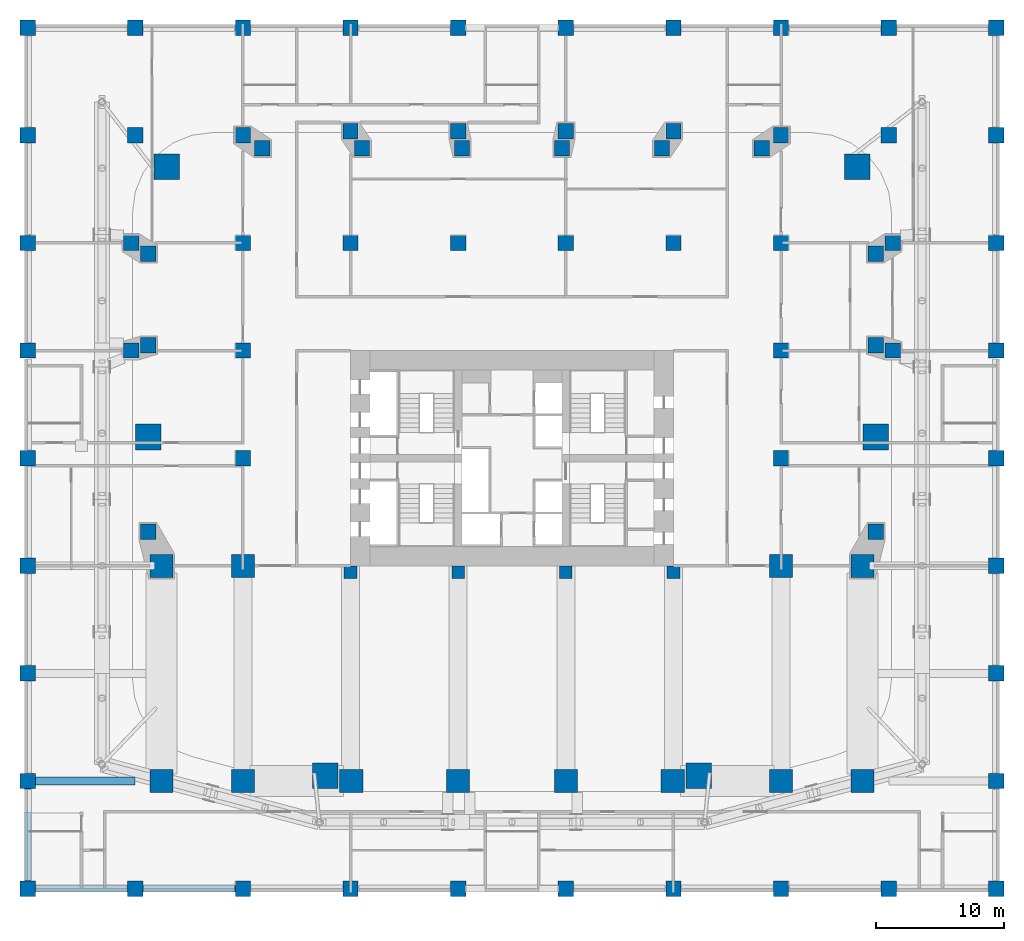
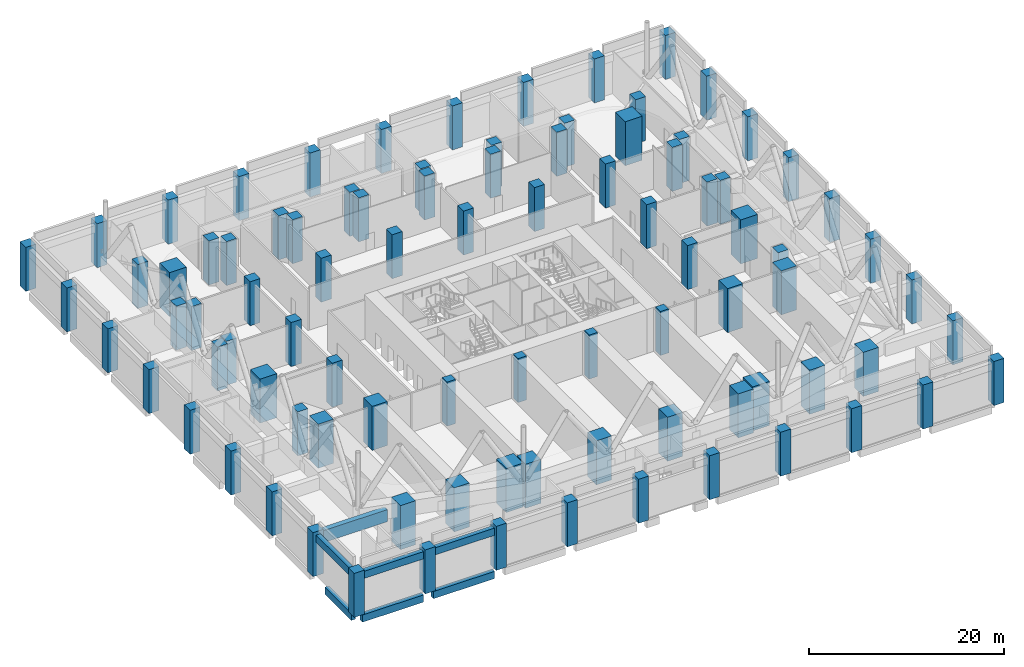
# One storey, part 1 of 17: 90 columns, 7 beams.
"""IFC4 building model written with IfcOpenShell, lengths in metres."""

from ifc_helpers import new_model, si_unit, direction, frame, origin, origin_2d, place, context, subcontext, project, spatial, rectangle, extrude, material, material_profile, profile_set, type_object, element, save


model = new_model("IFC4")

# Units and contexts
model_context = context("Model", 3, precision=1e-05, world=origin(), true_north=direction((0.0, 1.0)))
body_context = subcontext(model_context, "Body", "Model", "MODEL_VIEW")
ifc_project = project(units=[si_unit("LENGTHUNIT", "METRE"), si_unit("AREAUNIT", "SQUARE_METRE"), si_unit("VOLUMEUNIT", "CUBIC_METRE"), si_unit("PLANEANGLEUNIT", "RADIAN"), si_unit("MASSUNIT", "GRAM", prefix="KILO")], contexts=[model_context])

# Site, building, storey
site_placement = place(None, origin())
site = spatial("IfcSite", under=ifc_project, at=site_placement, CompositionType="ELEMENT")
building_placement = place(site_placement, origin())
building = spatial("IfcBuilding", under=site, at=building_placement, Name="Marenta Gate Hotel Tower", CompositionType="ELEMENT")
storey_placement = place(building_placement, frame((0.0, 0.0, 31.0)))
storey = spatial("IfcBuildingStorey", under=building, at=storey_placement, Name="L05", CompositionType="ELEMENT", Elevation=31.0)

# Columns
ifc_material_1 = material(Name="Concrete C80", Category="concrete")
ifc_material_profile_1 = material_profile(ifc_material_1, rectangle(XDim=1.0, YDim=1.0, at=origin_2d()), Name="1000 x 1000")
ifc_profile_set_1 = profile_set([ifc_material_profile_1], Name="Concrete C80")
column_type_1 = type_object("IfcColumnType", Name="Core pier 1000 x 1000 C80", PredefinedType="COLUMN", material=ifc_profile_set_1)
for number, where, z_axis, x_axis, name in (
    (1, (-12.60009765625, -0.5, 0.0), (0.0, 0.0, 1.0), (1.0, 0.0, 0.0), "L05-CP--12.6"),
    (2, (-4.199951171875, -0.5, 0.0), (0.0, 0.0, 1.0), (1.0, 0.0, 0.0), "L05-CP--4.2"),
    (3, (4.199951171875, -0.5, 0.0), (0.0, 0.0, 1.0), (1.0, 0.0, 0.0), "L05-CP-+4.2"),
    (4, (12.60009765625, -0.5, 0.0), (0.0, 0.0, 1.0), (1.0, 0.0, 0.0), "L05-CP-+12.6"),
):
    element("IfcColumn", number, at=place(storey_placement, frame(where, z_axis=z_axis, x_axis=x_axis)), inside=storey, type_object=column_type_1, Name=name, PredefinedType="COLUMN", context=body_context, shape_type="SweptSolid", body=[
        extrude(rectangle(XDim=1.0, YDim=1.0, at=origin_2d()), origin(), (0.0, 0.0, 1.0), 5.5),
    ])
ifc_material_2 = material(Name="Concrete C80", Category="concrete")
ifc_material_profile_2 = material_profile(ifc_material_2, rectangle(XDim=1.800048828125, YDim=1.800048828125, at=origin_2d()), Name="1800 x 1800")
ifc_profile_set_2 = profile_set([ifc_material_profile_2], Name="Concrete C80")
column_type_2 = type_object("IfcColumnType", Name="Gate lane column 1800 x 1800 C80", PredefinedType="COLUMN", material=ifc_profile_set_2)
for number, where, z_axis, x_axis, name in (
    (5, (-21.0, -16.800048828125, 0.0), (0.0, 0.0, 1.0), (1.0, 0.0, 0.0), "L05-PCOL-4/D"),
    (6, (-12.54638671875, -16.800048828125, 0.0), (0.0, 0.0, 1.0), (1.0, 0.0, 0.0), "L05-PCOL-5/D"),
    (7, (-4.199951171875, -16.800048828125, 0.0), (0.0, 0.0, 1.0), (1.0, 0.0, 0.0), "L05-PCOL-6/D"),
    (8, (4.199951171875, -16.800048828125, 0.0), (0.0, 0.0, 1.0), (1.0, 0.0, 0.0), "L05-PCOL-7/D"),
    (9, (12.54638671875, -16.800048828125, 0.0), (0.0, 0.0, 1.0), (1.0, 0.0, 0.0), "L05-PCOL-8/D"),
    (10, (21.0, -16.800048828125, 0.0), (0.0, 0.0, 1.0), (1.0, 0.0, 0.0), "L05-PCOL-9/D"),
    (11, (-21.0, 0.0, 0.0), (0.0, 0.0, 1.0), (1.0, 0.0, 0.0), "L05-PCOL-4/F"),
    (12, (21.0, 0.0, 0.0), (0.0, 0.0, 1.0), (1.0, 0.0, 0.0), "L05-PCOL-9/F"),
    (13, (-27.363037109375, -16.800048828125, 0.0), (0.0, 0.0, 1.0), (1.0, 0.0, 0.0), "L05-PCOL-WS-lane"),
    (14, (-27.363037109375, 0.0, 0.0), (0.0, 0.0, 1.0), (1.0, 0.0, 0.0), "L05-PCOL-WN-lane"),
    (15, (27.363037109375, -16.800048828125, 0.0), (0.0, 0.0, 1.0), (1.0, 0.0, 0.0), "L05-PCOL-ES-lane"),
    (16, (27.363037109375, 0.0, 0.0), (0.0, 0.0, 1.0), (1.0, 0.0, 0.0), "L05-PCOL-EN-lane"),
):
    element("IfcColumn", number, at=place(storey_placement, frame(where, z_axis=z_axis, x_axis=x_axis)), inside=storey, type_object=column_type_2, Name=name, PredefinedType="COLUMN", context=body_context, shape_type="SweptSolid", body=[
        extrude(rectangle(XDim=1.800048828125, YDim=1.800048828125, at=origin_2d()), origin(), (0.0, 0.0, 1.0), 5.5),
    ])
ifc_material_3 = material(Name="Concrete C70", Category="concrete")
ifc_material_profile_3 = material_profile(ifc_material_3, rectangle(XDim=1.199951171875, YDim=1.199951171875, at=origin_2d()), Name="1200 x 1200")
ifc_profile_set_3 = profile_set([ifc_material_profile_3], Name="Concrete C70")
column_type_3 = type_object("IfcColumnType", Name="Podium base column 1200 x 1200 C70", PredefinedType="COLUMN", material=ifc_profile_set_3)
for number, where, z_axis, x_axis, name in (
    (17, (-28.39990234375, 2.649169921875, 0.0), (0.0, 0.0, 1.0), (1.0, 0.0, 0.0), "L05-BC-SW-W-2"),
    (18, (-28.39990234375, 17.203125, 0.0), (0.0, 0.0, 1.0), (1.0, 0.0, 0.0), "L05-BC-W-NW-1"),
    (19, (-28.39990234375, 24.3564453125, 0.0), (0.0, 0.0, 1.0), (1.0, 0.0, 0.0), "L05-BC-W-NW-2"),
    (20, (-19.5068359375, 32.60009765625, 0.0), (0.0, 0.0, 1.0), (1.0, 0.0, 0.0), "L05-BC-NW-NE-1"),
    (21, (-11.7041015625, 32.60009765625, 0.0), (0.0, 0.0, 1.0), (1.0, 0.0, 0.0), "L05-BC-NW-NE-2"),
    (22, (-3.9013671875, 32.60009765625, 0.0), (0.0, 0.0, 1.0), (1.0, 0.0, 0.0), "L05-BC-NW-NE-3"),
    (23, (3.9013671875, 32.60009765625, 0.0), (0.0, 0.0, 1.0), (1.0, 0.0, 0.0), "L05-BC-NW-NE-4"),
    (24, (11.7041015625, 32.60009765625, 0.0), (0.0, 0.0, 1.0), (1.0, 0.0, 0.0), "L05-BC-NW-NE-5"),
    (25, (19.5068359375, 32.60009765625, 0.0), (0.0, 0.0, 1.0), (1.0, 0.0, 0.0), "L05-BC-NW-NE-6"),
    (26, (28.39990234375, 24.3564453125, 0.0), (0.0, 0.0, 1.0), (1.0, 0.0, 0.0), "L05-BC-NE-E-1"),
    (27, (28.39990234375, 17.203125, 0.0), (0.0, 0.0, 1.0), (1.0, 0.0, 0.0), "L05-BC-NE-E-2"),
    (28, (28.39990234375, 2.649169921875, 0.0), (0.0, 0.0, 1.0), (1.0, 0.0, 0.0), "L05-BC-E-SE-1"),
):
    element("IfcColumn", number, at=place(storey_placement, frame(where, z_axis=z_axis, x_axis=x_axis)), inside=storey, type_object=column_type_3, Name=name, PredefinedType="COLUMN", context=body_context, shape_type="SweptSolid", body=[
        extrude(rectangle(XDim=1.199951171875, YDim=1.199951171875, at=origin_2d()), origin(), (0.0, 0.0, 1.0), 5.5),
    ])
ifc_material_4 = material(Name="Concrete C60", Category="concrete")
ifc_material_profile_4 = material_profile(ifc_material_4, rectangle(XDim=1.199951171875, YDim=1.199951171875, at=origin_2d()), Name="1200 x 1200")
ifc_profile_set_4 = profile_set([ifc_material_profile_4], Name="Concrete C60")
column_type_4 = type_object("IfcColumnType", Name="Podium column 1200 x 1200 C60", PredefinedType="COLUMN", material=ifc_profile_set_4)
for number, where, z_axis, x_axis, name in (
    (29, (-37.800048828125, -25.199951171875, 0.0), (0.0, 0.0, 1.0), (1.0, 0.0, 0.0), "L05-PCOL-2/C"),
    (30, (-29.39990234375, -25.199951171875, 0.0), (0.0, 0.0, 1.0), (1.0, 0.0, 0.0), "L05-PCOL-3/C"),
    (31, (-21.0, -25.199951171875, 0.0), (0.0, 0.0, 1.0), (1.0, 0.0, 0.0), "L05-PCOL-4/C"),
    (32, (-12.60009765625, -25.199951171875, 0.0), (0.0, 0.0, 1.0), (1.0, 0.0, 0.0), "L05-PCOL-5/C"),
    (33, (-4.199951171875, -25.199951171875, 0.0), (0.0, 0.0, 1.0), (1.0, 0.0, 0.0), "L05-PCOL-6/C"),
    (34, (4.199951171875, -25.199951171875, 0.0), (0.0, 0.0, 1.0), (1.0, 0.0, 0.0), "L05-PCOL-7/C"),
    (35, (12.60009765625, -25.199951171875, 0.0), (0.0, 0.0, 1.0), (1.0, 0.0, 0.0), "L05-PCOL-8/C"),
    (36, (21.0, -25.199951171875, 0.0), (0.0, 0.0, 1.0), (1.0, 0.0, 0.0), "L05-PCOL-9/C"),
    (37, (29.39990234375, -25.199951171875, 0.0), (0.0, 0.0, 1.0), (1.0, 0.0, 0.0), "L05-PCOL-10/C"),
    (38, (37.800048828125, -25.199951171875, 0.0), (0.0, 0.0, 1.0), (1.0, 0.0, 0.0), "L05-PCOL-11/C"),
    (39, (-37.800048828125, -16.800048828125, 0.0), (0.0, 0.0, 1.0), (1.0, 0.0, 0.0), "L05-PCOL-2/D"),
    (40, (37.800048828125, -16.800048828125, 0.0), (0.0, 0.0, 1.0), (1.0, 0.0, 0.0), "L05-PCOL-11/D"),
    (41, (-37.800048828125, 0.0, 0.0), (0.0, 0.0, 1.0), (1.0, 0.0, 0.0), "L05-PCOL-2/F"),
    (42, (37.800048828125, 0.0, 0.0), (0.0, 0.0, 1.0), (1.0, 0.0, 0.0), "L05-PCOL-11/F"),
    (43, (-37.800048828125, 8.39990234375, 0.0), (0.0, 0.0, 1.0), (1.0, 0.0, 0.0), "L05-PCOL-2/G"),
    (44, (-21.0, 8.39990234375, 0.0), (0.0, 0.0, 1.0), (1.0, 0.0, 0.0), "L05-PCOL-4/G"),
    (45, (21.0, 8.39990234375, 0.0), (0.0, 0.0, 1.0), (1.0, 0.0, 0.0), "L05-PCOL-9/G"),
    (46, (37.800048828125, 8.39990234375, 0.0), (0.0, 0.0, 1.0), (1.0, 0.0, 0.0), "L05-PCOL-11/G"),
    (47, (-37.800048828125, 16.800048828125, 0.0), (0.0, 0.0, 1.0), (1.0, 0.0, 0.0), "L05-PCOL-2/H"),
    (48, (-29.719970703125, 16.800048828125, 0.0), (0.0, 0.0, 1.0), (1.0, 0.0, 0.0), "L05-PCOL-3/H"),
    (49, (-21.0, 16.800048828125, 0.0), (0.0, 0.0, 1.0), (1.0, 0.0, 0.0), "L05-PCOL-4/H"),
    (50, (21.0, 16.800048828125, 0.0), (0.0, 0.0, 1.0), (1.0, 0.0, 0.0), "L05-PCOL-9/H"),
    (51, (29.719970703125, 16.800048828125, 0.0), (0.0, 0.0, 1.0), (1.0, 0.0, 0.0), "L05-PCOL-10/H"),
    (52, (37.800048828125, 16.800048828125, 0.0), (0.0, 0.0, 1.0), (1.0, 0.0, 0.0), "L05-PCOL-11/H"),
    (53, (-37.800048828125, 25.199951171875, 0.0), (0.0, 0.0, 1.0), (1.0, 0.0, 0.0), "L05-PCOL-2/I"),
    (54, (-29.719970703125, 25.199951171875, 0.0), (0.0, 0.0, 1.0), (1.0, 0.0, 0.0), "L05-PCOL-3/I"),
    (55, (-21.0, 25.199951171875, 0.0), (0.0, 0.0, 1.0), (1.0, 0.0, 0.0), "L05-PCOL-4/I"),
    (56, (-12.60009765625, 25.199951171875, 0.0), (0.0, 0.0, 1.0), (1.0, 0.0, 0.0), "L05-PCOL-5/I"),
    (57, (-4.199951171875, 25.199951171875, 0.0), (0.0, 0.0, 1.0), (1.0, 0.0, 0.0), "L05-PCOL-6/I"),
    (58, (4.199951171875, 25.199951171875, 0.0), (0.0, 0.0, 1.0), (1.0, 0.0, 0.0), "L05-PCOL-7/I"),
    (59, (12.60009765625, 25.199951171875, 0.0), (0.0, 0.0, 1.0), (1.0, 0.0, 0.0), "L05-PCOL-8/I"),
    (60, (21.0, 25.199951171875, 0.0), (0.0, 0.0, 1.0), (1.0, 0.0, 0.0), "L05-PCOL-9/I"),
    (61, (29.719970703125, 25.199951171875, 0.0), (0.0, 0.0, 1.0), (1.0, 0.0, 0.0), "L05-PCOL-10/I"),
    (62, (37.800048828125, 25.199951171875, 0.0), (0.0, 0.0, 1.0), (1.0, 0.0, 0.0), "L05-PCOL-11/I"),
    (63, (-37.800048828125, 33.60009765625, 0.0), (0.0, 0.0, 1.0), (1.0, 0.0, 0.0), "L05-PCOL-2/J"),
    (64, (-29.39990234375, 33.60009765625, 0.0), (0.0, 0.0, 1.0), (1.0, 0.0, 0.0), "L05-PCOL-3/J"),
    (65, (-21.0, 33.60009765625, 0.0), (0.0, 0.0, 1.0), (1.0, 0.0, 0.0), "L05-PCOL-4/J"),
    (66, (-12.60009765625, 33.919921875, 0.0), (0.0, 0.0, 1.0), (1.0, 0.0, 0.0), "L05-PCOL-5/J"),
    (67, (-4.199951171875, 33.919921875, 0.0), (0.0, 0.0, 1.0), (1.0, 0.0, 0.0), "L05-PCOL-6/J"),
    (68, (4.199951171875, 33.919921875, 0.0), (0.0, 0.0, 1.0), (1.0, 0.0, 0.0), "L05-PCOL-7/J"),
    (69, (12.60009765625, 33.919921875, 0.0), (0.0, 0.0, 1.0), (1.0, 0.0, 0.0), "L05-PCOL-8/J"),
    (70, (21.0, 33.60009765625, 0.0), (0.0, 0.0, 1.0), (1.0, 0.0, 0.0), "L05-PCOL-9/J"),
    (71, (29.39990234375, 33.60009765625, 0.0), (0.0, 0.0, 1.0), (1.0, 0.0, 0.0), "L05-PCOL-10/J"),
    (72, (37.800048828125, 33.60009765625, 0.0), (0.0, 0.0, 1.0), (1.0, 0.0, 0.0), "L05-PCOL-11/J"),
    (73, (-37.800048828125, 42.0, 0.0), (0.0, 0.0, 1.0), (1.0, 0.0, 0.0), "L05-PCOL-2/K"),
    (74, (-29.39990234375, 42.0, 0.0), (0.0, 0.0, 1.0), (1.0, 0.0, 0.0), "L05-PCOL-3/K"),
    (75, (-21.0, 42.0, 0.0), (0.0, 0.0, 1.0), (1.0, 0.0, 0.0), "L05-PCOL-4/K"),
    (76, (-12.60009765625, 42.0, 0.0), (0.0, 0.0, 1.0), (1.0, 0.0, 0.0), "L05-PCOL-5/K"),
    (77, (-4.199951171875, 42.0, 0.0), (0.0, 0.0, 1.0), (1.0, 0.0, 0.0), "L05-PCOL-6/K"),
    (78, (4.199951171875, 42.0, 0.0), (0.0, 0.0, 1.0), (1.0, 0.0, 0.0), "L05-PCOL-7/K"),
    (79, (12.60009765625, 42.0, 0.0), (0.0, 0.0, 1.0), (1.0, 0.0, 0.0), "L05-PCOL-8/K"),
    (80, (21.0, 42.0, 0.0), (0.0, 0.0, 1.0), (1.0, 0.0, 0.0), "L05-PCOL-9/K"),
    (81, (29.39990234375, 42.0, 0.0), (0.0, 0.0, 1.0), (1.0, 0.0, 0.0), "L05-PCOL-10/K"),
    (82, (37.800048828125, 42.0, 0.0), (0.0, 0.0, 1.0), (1.0, 0.0, 0.0), "L05-PCOL-11/K"),
    (83, (-37.800048828125, -8.39990234375, 0.0), (0.0, 0.0, 1.0), (1.0, 0.0, 0.0), "L05-PCOL-W-crown"),
    (84, (37.800048828125, -8.39990234375, 0.0), (0.0, 0.0, 1.0), (1.0, 0.0, 0.0), "L05-PCOL-E-crown"),
):
    element("IfcColumn", number, at=place(storey_placement, frame(where, z_axis=z_axis, x_axis=x_axis)), inside=storey, type_object=column_type_4, Name=name, PredefinedType="COLUMN", context=body_context, shape_type="SweptSolid", body=[
        extrude(rectangle(XDim=1.199951171875, YDim=1.199951171875, at=origin_2d()), origin(), (0.0, 0.0, 1.0), 5.5),
    ])
ifc_material_5 = material(Name="Concrete C80", Category="concrete")
ifc_material_profile_5 = material_profile(ifc_material_5, rectangle(XDim=2.0, YDim=2.0, at=origin_2d()), Name="2000 x 2000")
ifc_profile_set_5 = profile_set([ifc_material_profile_5], Name="Concrete C80")
column_type_5 = type_object("IfcColumnType", Name="Podium column under mega column 2000 x 2000 C80", PredefinedType="COLUMN", material=ifc_profile_set_5)
for number, where, z_axis, x_axis, name in (
    (85, (28.39990234375, 10.050048828125, 0.0), (0.0, 0.0, 1.0), (1.0, 0.0, 0.0), "L05-PCOL-E-mega"),
    (86, (-28.39990234375, 10.050048828125, 0.0), (0.0, 0.0, 1.0), (1.0, 0.0, 0.0), "L05-PCOL-W-mega"),
    (87, (26.935546875, 31.135498046875, 0.0), (0.0, 0.0, 1.0), (1.0, 0.0, 0.0), "L05-PCOL-NE-mega"),
    (88, (-26.935546875, 31.135498046875, 0.0), (0.0, 0.0, 1.0), (1.0, 0.0, 0.0), "L05-PCOL-NW-mega"),
    (89, (-14.56640625, -16.374755859375, 0.0), (0.0, 0.0, 1.0), (1.0, 0.0, 0.0), "L05-PCOL-SKW-mega"),
    (90, (14.56640625, -16.374755859375, 0.0), (0.0, 0.0, 1.0), (1.0, 0.0, 0.0), "L05-PCOL-SKE-mega"),
):
    element("IfcColumn", number, at=place(storey_placement, frame(where, z_axis=z_axis, x_axis=x_axis)), inside=storey, type_object=column_type_5, Name=name, PredefinedType="COLUMN", context=body_context, shape_type="SweptSolid", body=[
        extrude(rectangle(XDim=2.0, YDim=2.0, at=origin_2d()), origin(), (0.0, 0.0, 1.0), 5.5),
    ])

# Beams
ifc_material_6 = material(Name="Concrete C60", Category="concrete")
ifc_material_profile_6 = material_profile(ifc_material_6, rectangle(XDim=0.5, YDim=0.89990234375, at=origin_2d()), Name="500 x 900")
ifc_profile_set_6 = profile_set([ifc_material_profile_6], Name="Concrete C60")
beam_type_1 = type_object("IfcBeamType", Name="Podium edge beam 500 x 900 C60", PredefinedType="BEAM", material=ifc_profile_set_6)
for number, where, z_axis, x_axis, name in (
    (91, (-37.199951171875, -25.199951171875, -0.77001953125), (1.0, 0.0, 0.0), (0.0, 1.0, 0.0), "L05-PBM-175"),
    (92, (-28.800048828125, -25.199951171875, -0.77001953125), (1.0, 0.0, 0.0), (0.0, 1.0, 0.0), "L05-PBM-176"),
):
    element("IfcBeam", number, at=place(storey_placement, frame(where, z_axis=z_axis, x_axis=x_axis)), inside=storey, type_object=beam_type_1, Name=name, PredefinedType="BEAM", context=body_context, shape_type="SweptSolid", body=[
        extrude(rectangle(XDim=0.5, YDim=0.89990234375, at=origin_2d()), origin(), (0.0, 0.0, 1.0), 7.199951171875),
    ])
beam_1_placement = place(storey_placement, frame((-37.800048828125, -19.199951171875, -0.77001953125), z_axis=(0.0, -1.0, 0.0), x_axis=(1.0, 0.0, 0.0)))
element("IfcBeam", 93, at=beam_1_placement, inside=storey, type_object=beam_type_1, Name="L05-PBM-208", PredefinedType="BEAM", context=body_context, shape_type="SweptSolid", body=[
    extrude(rectangle(XDim=0.5, YDim=0.89990234375, at=origin_2d()), origin(), (0.0, 0.0, 1.0), 5.400146484375),
])
for number, where, z_axis, x_axis, name in (
    (94, (-37.25, -25.199951171875, 4.6298828125), (1.0, 0.0, 0.0), (0.0, 1.0, 0.0), "L05-PBM-209"),
    (95, (-28.85009765625, -25.199951171875, 4.6298828125), (1.0, 0.0, 0.0), (0.0, 1.0, 0.0), "L05-PBM-210"),
):
    element("IfcBeam", number, at=place(storey_placement, frame(where, z_axis=z_axis, x_axis=x_axis)), inside=storey, type_object=beam_type_1, Name=name, PredefinedType="BEAM", context=body_context, shape_type="SweptSolid", body=[
        extrude(rectangle(XDim=0.5, YDim=0.89990234375, at=origin_2d()), origin(), (0.0, 0.0, 1.0), 7.300048828125),
    ])
beam_2_placement = place(storey_placement, frame((-37.800048828125, -17.35009765625, 4.6298828125), z_axis=(0.0, -1.0, 0.0), x_axis=(1.0, 0.0, 0.0)))
element("IfcBeam", 96, at=beam_2_placement, inside=storey, type_object=beam_type_1, Name="L05-PBM-242", PredefinedType="BEAM", context=body_context, shape_type="SweptSolid", body=[
    extrude(rectangle(XDim=0.5, YDim=0.89990234375, at=origin_2d()), origin(), (0.0, 0.0, 1.0), 7.2998046875),
])
ifc_material_7 = material(Name="Concrete C60", Category="concrete")
ifc_material_profile_7 = material_profile(ifc_material_7, rectangle(XDim=0.60009765625, YDim=1.5, at=origin_2d()), Name="600 x 1500")
ifc_profile_set_7 = profile_set([ifc_material_profile_7], Name="Concrete C60")
beam_type_2 = type_object("IfcBeamType", Name="Podium roof beam 600 x 1500 C60", PredefinedType="BEAM", material=ifc_profile_set_7)
beam_3_placement = place(storey_placement, frame((-29.440185546875, -16.800048828125, 4.330078125), z_axis=(-1.0, 0.0, 0.0), x_axis=(0.0, -1.0, 0.0)))
element("IfcBeam", 97, at=beam_3_placement, inside=storey, type_object=beam_type_2, Name="L05-PBM-RWS", PredefinedType="BEAM", context=body_context, shape_type="SweptSolid", body=[
    extrude(rectangle(XDim=0.60009765625, YDim=1.5, at=origin_2d()), origin(), (0.0, 0.0, 1.0), 7.809814453125),
])

save(model, "model.ifc")
